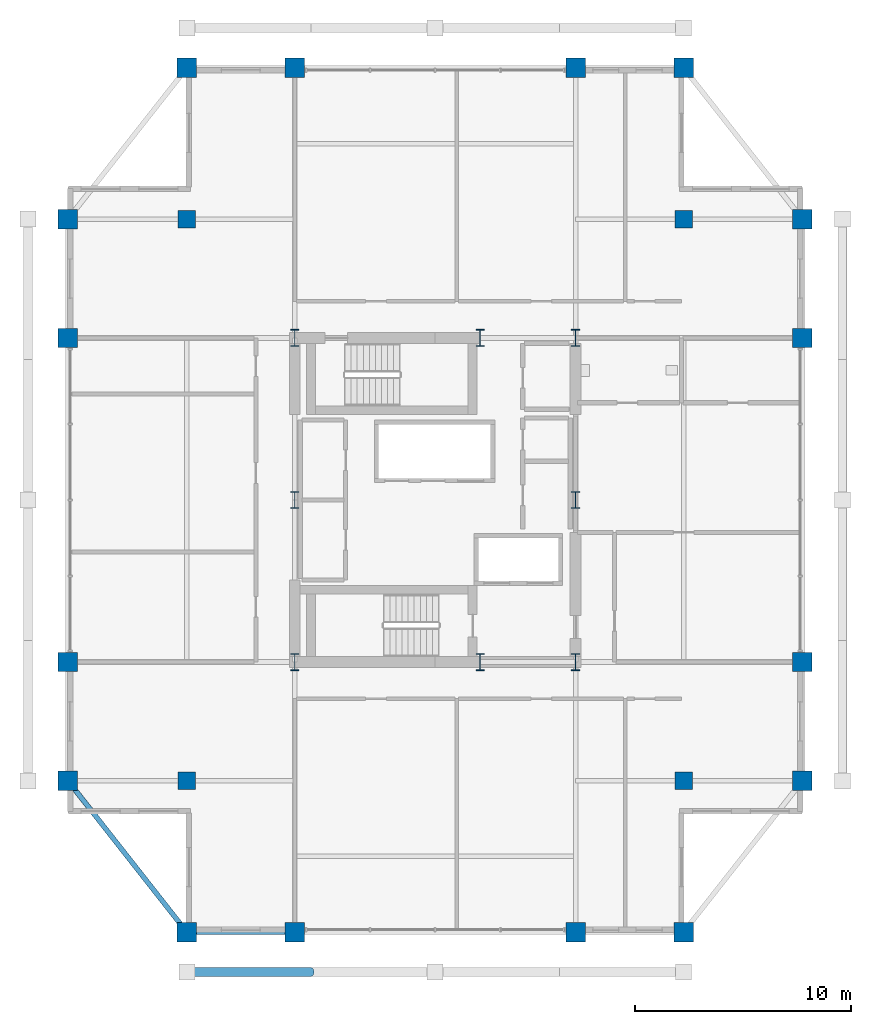
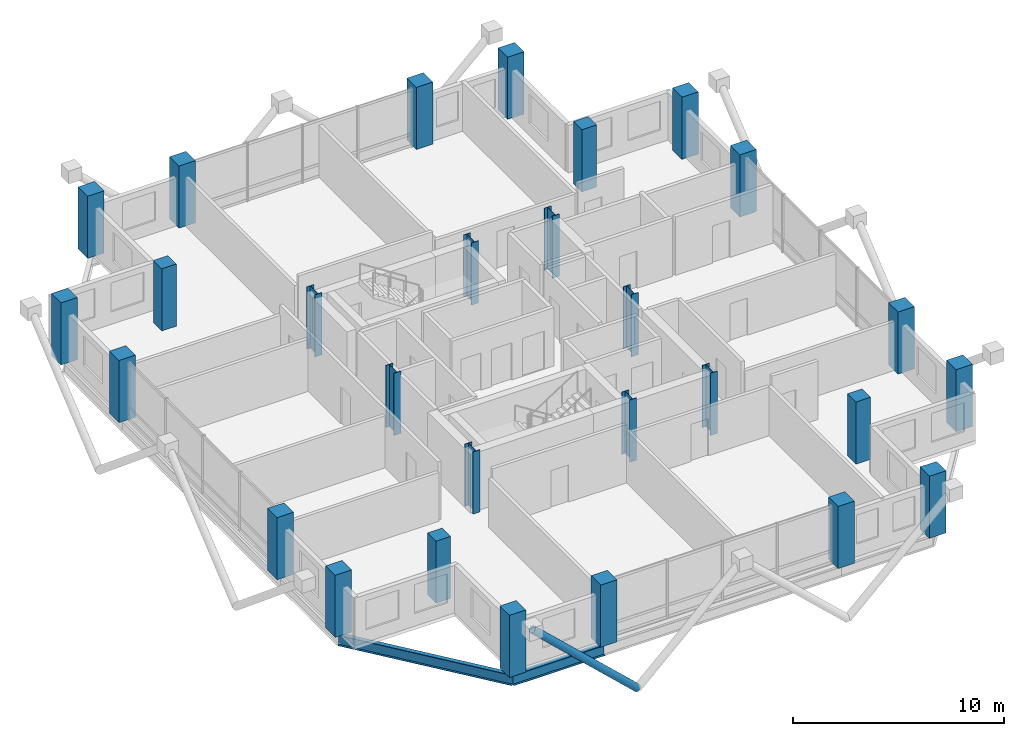
# One storey, part 1 of 22: 28 columns, 2 beams, 1 member.
"""IFC4 building model written with IfcOpenShell, lengths in metres."""

from ifc_helpers import new_model, si_unit, direction, frame, origin, origin_2d, place, context, subcontext, project, spatial, rectangle, hollow_circle, i_section, extrude, material, material_profile, profile_set, type_object, element, save


model = new_model("IFC4")

# Units and contexts
model_context = context("Model", 3, precision=1e-05, world=origin(), true_north=direction((0.0, 1.0)))
body_context = subcontext(model_context, "Body", "Model", "MODEL_VIEW")
ifc_project = project(units=[si_unit("LENGTHUNIT", "METRE"), si_unit("AREAUNIT", "SQUARE_METRE"), si_unit("VOLUMEUNIT", "CUBIC_METRE"), si_unit("PLANEANGLEUNIT", "RADIAN"), si_unit("MASSUNIT", "GRAM", prefix="KILO")], contexts=[model_context])

# Site, building, storey
site_placement = place(None, origin())
site = spatial("IfcSite", under=ifc_project, at=site_placement, CompositionType="ELEMENT")
building_placement = place(site_placement, origin())
building = spatial("IfcBuilding", under=site, at=building_placement, Name="Barlavira Tower and Art Museum", CompositionType="ELEMENT")
storey_placement = place(building_placement, frame((0.0, 0.0, 258.300048828125)))
storey = spatial("IfcBuildingStorey", under=building, at=storey_placement, Name="L67", CompositionType="ELEMENT", Elevation=258.300048828125)

# Columns
ifc_material_1 = material(Name="Steel S355", Category="steel")
ifc_material_profile_1 = material_profile(ifc_material_1, i_section(OverallWidth=0.382080078125, OverallDepth=0.785888671875, WebThickness=0.02001953125, FlangeThickness=0.032958984375, at=origin_2d()), Name="W760x314.0")
ifc_profile_set_1 = profile_set([ifc_material_profile_1], Name="Steel S355")
column_type_1 = type_object("IfcColumnType", Name="Core Composite Column W760x314 Steel S355", PredefinedType="COLUMN", material=ifc_profile_set_1)
for number, where, z_axis, x_axis, name in (
    (1, (-6.5, -7.5, 0.0), (0.0, 0.0, 1.0), (1.0, 0.0, 0.0), "L67 Column CC-L67-C1"),
    (2, (2.080078125, -7.5, 0.0), (0.0, 0.0, 1.0), (1.0, 0.0, 0.0), "L67 Column CC-L67-C2"),
    (3, (6.5, -7.5, 0.0), (0.0, 0.0, 1.0), (1.0, 0.0, 0.0), "L67 Column CC-L67-C3"),
    (4, (-6.5, 0.0, 0.0), (0.0, 0.0, 1.0), (1.0, 0.0, 0.0), "L67 Column CC-L67-C4"),
    (5, (6.5, 0.0, 0.0), (0.0, 0.0, 1.0), (1.0, 0.0, 0.0), "L67 Column CC-L67-C5"),
    (6, (-6.5, 7.5, 0.0), (0.0, 0.0, 1.0), (1.0, 0.0, 0.0), "L67 Column CC-L67-C6"),
    (7, (2.080078125, 7.5, 0.0), (0.0, 0.0, 1.0), (1.0, 0.0, 0.0), "L67 Column CC-L67-C7"),
    (8, (6.5, 7.5, 0.0), (0.0, 0.0, 1.0), (1.0, 0.0, 0.0), "L67 Column CC-L67-C8"),
):
    element("IfcColumn", number, at=place(storey_placement, frame(where, z_axis=z_axis, x_axis=x_axis)), inside=storey, type_object=column_type_1, Name=name, PredefinedType="COLUMN", context=body_context, shape_type="SweptSolid", body=[
        extrude(i_section(OverallWidth=0.382080078125, OverallDepth=0.785888671875, WebThickness=0.02001953125, FlangeThickness=0.032958984375, at=origin_2d()), origin(), (0.0, 0.0, 1.0), 3.599853515625),
    ])
ifc_material_2 = material(Name="Concrete C50", Category="concrete")
ifc_material_profile_2 = material_profile(ifc_material_2, rectangle(XDim=0.89990234375, YDim=0.89990234375, at=origin_2d()), Name="RC-COL 900x900")
ifc_profile_set_2 = profile_set([ifc_material_profile_2], Name="Concrete C50")
column_type_2 = type_object("IfcColumnType", Name="Perimeter Mega Column 900x900 Concrete C50", PredefinedType="USERDEFINED", material=ifc_profile_set_2)
for number, where, z_axis, x_axis, name in (
    (9, (-11.5, -20.0, 0.0), (0.0, 0.0, 1.0), (1.0, 0.0, 0.0), "L67 Column MC-L67-M01"),
    (10, (-6.5, -20.0, 0.0), (0.0, 0.0, 1.0), (1.0, 0.0, 0.0), "L67 Column MC-L67-M02"),
    (11, (6.5, -20.0, 0.0), (0.0, 0.0, 1.0), (1.0, 0.0, 0.0), "L67 Column MC-L67-M03"),
    (12, (11.5, -20.0, 0.0), (0.0, 0.0, 1.0), (1.0, 0.0, 0.0), "L67 Column MC-L67-M04"),
    (13, (17.0, -13.0, 0.0), (0.0, 0.0, 1.0), (1.0, 0.0, 0.0), "L67 Column MC-L67-M05"),
    (14, (17.0, -7.5, 0.0), (0.0, 0.0, 1.0), (1.0, 0.0, 0.0), "L67 Column MC-L67-M06"),
    (15, (17.0, 7.5, 0.0), (0.0, 0.0, 1.0), (1.0, 0.0, 0.0), "L67 Column MC-L67-M07"),
    (16, (17.0, 13.0, 0.0), (0.0, 0.0, 1.0), (1.0, 0.0, 0.0), "L67 Column MC-L67-M08"),
    (17, (11.5, 20.0, 0.0), (0.0, 0.0, 1.0), (1.0, 0.0, 0.0), "L67 Column MC-L67-M09"),
    (18, (6.5, 20.0, 0.0), (0.0, 0.0, 1.0), (1.0, 0.0, 0.0), "L67 Column MC-L67-M10"),
    (19, (-6.5, 20.0, 0.0), (0.0, 0.0, 1.0), (1.0, 0.0, 0.0), "L67 Column MC-L67-M11"),
    (20, (-11.5, 20.0, 0.0), (0.0, 0.0, 1.0), (1.0, 0.0, 0.0), "L67 Column MC-L67-M12"),
    (21, (-17.0, 13.0, 0.0), (0.0, 0.0, 1.0), (1.0, 0.0, 0.0), "L67 Column MC-L67-M13"),
    (22, (-17.0, 7.5, 0.0), (0.0, 0.0, 1.0), (1.0, 0.0, 0.0), "L67 Column MC-L67-M14"),
    (23, (-17.0, -7.5, 0.0), (0.0, 0.0, 1.0), (1.0, 0.0, 0.0), "L67 Column MC-L67-M15"),
    (24, (-17.0, -13.0, 0.0), (0.0, 0.0, 1.0), (1.0, 0.0, 0.0), "L67 Column MC-L67-M16"),
):
    element("IfcColumn", number, at=place(storey_placement, frame(where, z_axis=z_axis, x_axis=x_axis)), inside=storey, type_object=column_type_2, Name=name, ObjectType="MEGA COLUMN", PredefinedType="USERDEFINED", context=body_context, shape_type="SweptSolid", body=[
        extrude(rectangle(XDim=0.89990234375, YDim=0.89990234375, at=origin_2d()), origin(), (0.0, 0.0, 1.0), 3.599853515625),
    ])
ifc_material_profile_3 = material_profile(ifc_material_2, rectangle(XDim=0.800048828125, YDim=0.800048828125, at=origin_2d()), Name="RC-COL 800x800")
ifc_profile_set_3 = profile_set([ifc_material_profile_3], Name="Concrete C50")
column_type_3 = type_object("IfcColumnType", Name="Podium Frame Column 800x800 Concrete C50", PredefinedType="COLUMN", material=ifc_profile_set_3)
for number, where, z_axis, x_axis, name in (
    (25, (-11.5, -13.0, 0.0), (0.0, 0.0, 1.0), (1.0, 0.0, 0.0), "L67 Column CI-L67-I1"),
    (26, (11.5, -13.0, 0.0), (0.0, 0.0, 1.0), (1.0, 0.0, 0.0), "L67 Column CI-L67-I2"),
    (27, (-11.5, 13.0, 0.0), (0.0, 0.0, 1.0), (1.0, 0.0, 0.0), "L67 Column CI-L67-I3"),
    (28, (11.5, 13.0, 0.0), (0.0, 0.0, 1.0), (1.0, 0.0, 0.0), "L67 Column CI-L67-I4"),
):
    element("IfcColumn", number, at=place(storey_placement, frame(where, z_axis=z_axis, x_axis=x_axis)), inside=storey, type_object=column_type_3, Name=name, PredefinedType="COLUMN", context=body_context, shape_type="SweptSolid", body=[
        extrude(rectangle(XDim=0.800048828125, YDim=0.800048828125, at=origin_2d()), origin(), (0.0, 0.0, 1.0), 3.599853515625),
    ])

# Member
ifc_material_profile_4 = material_profile(ifc_material_1, hollow_circle(Radius=0.203125, WallThickness=0.01611328125, at=origin_2d()), Name="CHS 406.4x16.0")
ifc_profile_set_4 = profile_set([ifc_material_profile_4], Name="Steel S355")
member_type = type_object("IfcMemberType", Name="Pale-Metal Exoskeleton Diagrid Tube CHS 406x16 Steel S355", PredefinedType="BRACE", material=ifc_profile_set_4)
member_placement = place(storey_placement, frame((-5.75, -21.85009765625, -1.920166015625), z_axis=(-0.728934650808, 0.0, 0.684583285548), x_axis=(0.0, -1.0, 0.0)))
element("IfcMember", 29, at=member_placement, inside=storey, type_object=member_type, Name="L67 Exoskeleton Diagrid Tube S", PredefinedType="BRACE", context=body_context, shape_type="SweptSolid", body=[
    extrude(hollow_circle(Radius=0.203125, WallThickness=0.01611328125, at=origin_2d()), origin(), (0.0, 0.0, 1.0), 7.88818359375),
])

# Beams
ifc_material_profile_5 = material_profile(ifc_material_1, i_section(OverallWidth=0.22998046875, OverallDepth=0.616943359375, WebThickness=0.01318359375, FlangeThickness=0.022216796875, at=origin_2d()), Name="W610x140.0")
ifc_profile_set_5 = profile_set([ifc_material_profile_5], Name="Steel S355")
beam_type = type_object("IfcBeamType", Name="Upper Shaft Spandrel Edge Beam W610x140 Steel S355", PredefinedType="SPANDREL", material=ifc_profile_set_5)
beam_1_placement = place(storey_placement, frame((-11.5, -20.0, -0.528564453125), z_axis=(1.0, 0.0, 0.0), x_axis=(0.0, 1.0, 0.0)))
element("IfcBeam", 30, at=beam_1_placement, inside=storey, type_object=beam_type, Name="L67 Spandrel 1", PredefinedType="SPANDREL", context=body_context, shape_type="SweptSolid", body=[
    extrude(i_section(OverallWidth=0.22998046875, OverallDepth=0.616943359375, WebThickness=0.01318359375, FlangeThickness=0.022216796875, at=origin_2d()), origin(), (0.0, 0.0, 1.0), 5.0),
])
beam_2_placement = place(storey_placement, frame((-17.0, -13.0, -0.528564453125), z_axis=(0.617821551932, -0.786318338822, 0.0), x_axis=(0.786318338822, 0.617821551932, 0.0)))
element("IfcBeam", 31, at=beam_2_placement, inside=storey, type_object=beam_type, Name="L67 Spandrel 16", PredefinedType="SPANDREL", context=body_context, shape_type="SweptSolid", body=[
    extrude(i_section(OverallWidth=0.22998046875, OverallDepth=0.616943359375, WebThickness=0.01318359375, FlangeThickness=0.022216796875, at=origin_2d()), origin(), (0.0, 0.0, 1.0), 8.90234375),
])

save(model, "model.ifc")
